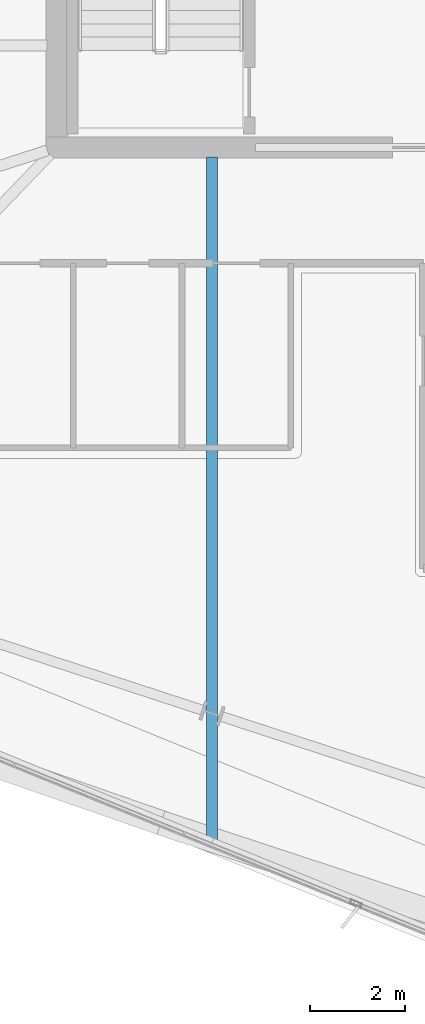
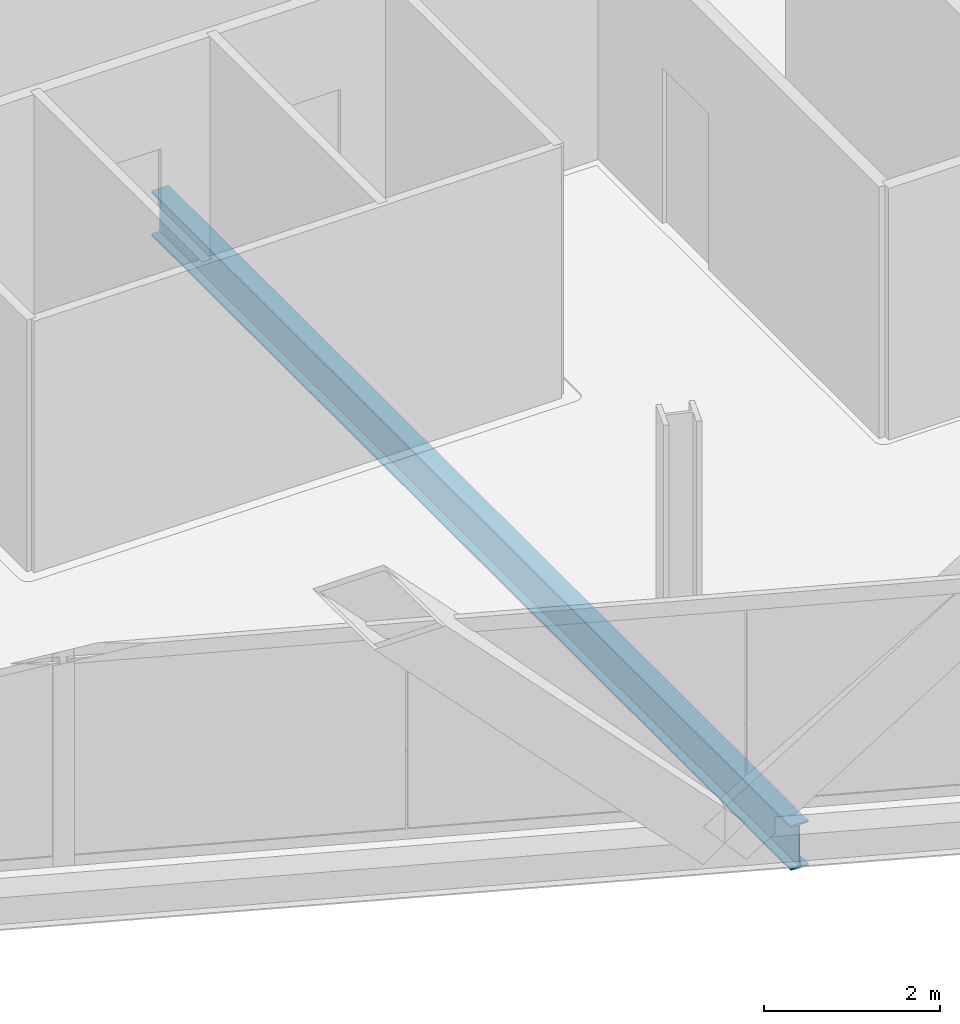
# One storey, part 5 of 31: 1 beam.
"""IFC4 building model written with IfcOpenShell, lengths in metres."""

from ifc_helpers import new_model, si_unit, direction, frame, origin, origin_2d, place, context, subcontext, project, spatial, i_section, extrude, material, material_profile, profile_set, type_object, element, save


model = new_model("IFC4")

# Units and contexts
model_context = context("Model", 3, precision=1e-05, world=origin(), true_north=direction((0.0, 1.0)))
body_context = subcontext(model_context, "Body", "Model", "MODEL_VIEW")
ifc_project = project(units=[si_unit("LENGTHUNIT", "METRE"), si_unit("AREAUNIT", "SQUARE_METRE"), si_unit("VOLUMEUNIT", "CUBIC_METRE"), si_unit("PLANEANGLEUNIT", "RADIAN"), si_unit("MASSUNIT", "GRAM", prefix="KILO")], contexts=[model_context])

# Site, building, storey
site_placement = place(None, origin())
site = spatial("IfcSite", under=ifc_project, at=site_placement, CompositionType="ELEMENT")
building_placement = place(site_placement, origin())
building = spatial("IfcBuilding", under=site, at=building_placement, Name="Haldenkirk Collegiate Tower", CompositionType="ELEMENT")
storey_placement = place(building_placement, frame((0.0, 0.0, 256.199951171875)))
storey = spatial("IfcBuildingStorey", under=building, at=storey_placement, Name="L64", CompositionType="ELEMENT", Elevation=256.199951171875)

# Beam
ifc_material = material(Name="Steel ASTM A992 Grade 50", Category="steel")
ifc_material_profile = material_profile(ifc_material, i_section(OverallWidth=0.22998046875, OverallDepth=0.616943359375, WebThickness=0.01318359375, FlangeThickness=0.022216796875, at=origin_2d()), Name="W24X94")
ifc_profile_set = profile_set([ifc_material_profile], Name="Steel ASTM A992 Grade 50")
beam_type = type_object("IfcBeamType", Name="BM-GIRDER-W24X94", PredefinedType="BEAM", material=ifc_profile_set)
beam_placement = place(storey_placement, frame((30.283203125, 3.30029296875, -0.578369140625), z_axis=(0.0, 1.0, 0.0), x_axis=(-1.0, 0.0, 0.0)))
element("IfcBeam", 1, at=beam_placement, inside=storey, type_object=beam_type, Name="L64 primary floor girder 15", PredefinedType="BEAM", context=body_context, shape_type="SweptSolid", body=[
    extrude(i_section(OverallWidth=0.22998046875, OverallDepth=0.616943359375, WebThickness=0.01318359375, FlangeThickness=0.022216796875, at=origin_2d()), origin(), (0.0, 0.0, 1.0), 14.49462890625),
])

save(model, "model.ifc")
